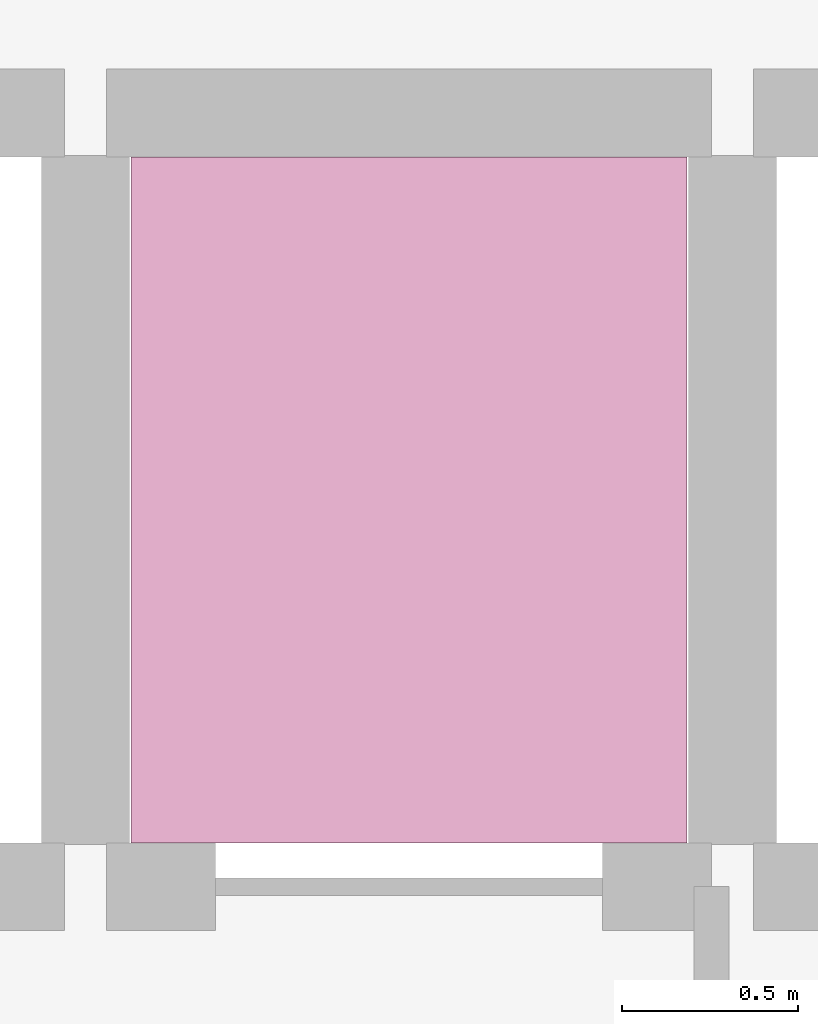
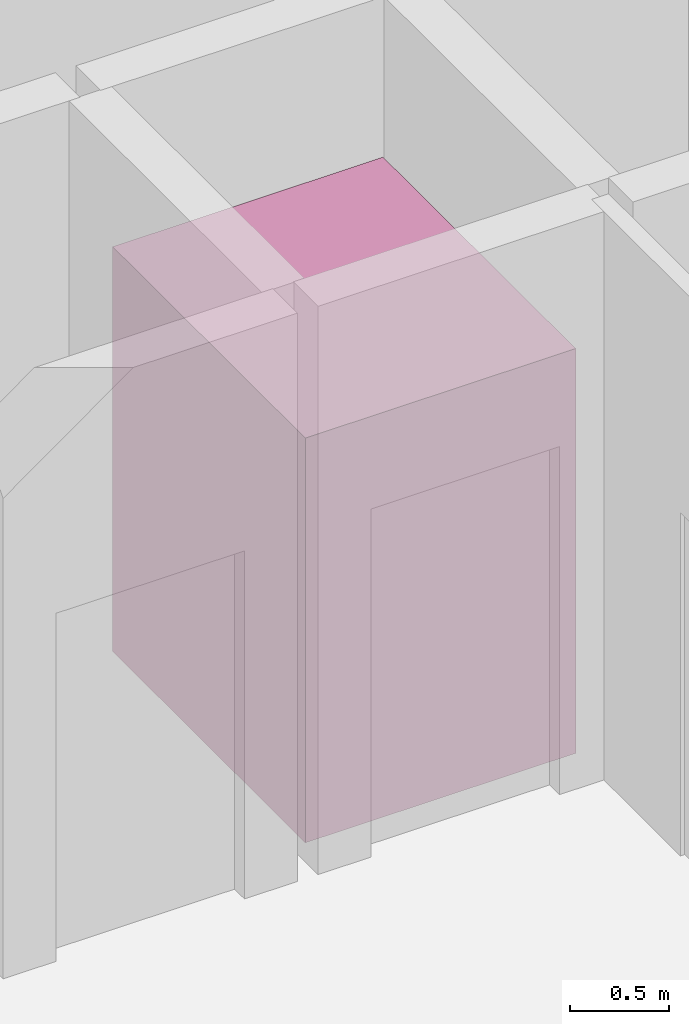
# One storey, part 10 of 10: 1 transport element.
"""IFC4 building model written with IfcOpenShell, lengths in metres."""

from ifc_helpers import new_model, si_unit, direction, frame, origin, origin_2d, place, context, subcontext, project, spatial, rectangle, extrude, material, type_object, element, save


model = new_model("IFC4")

# Units and contexts
model_context = context("Model", 3, precision=1e-05, world=origin(), true_north=direction((0.0, 1.0)))
body_context = subcontext(model_context, "Body", "Model", "MODEL_VIEW")
ifc_project = project(units=[si_unit("LENGTHUNIT", "METRE"), si_unit("AREAUNIT", "SQUARE_METRE"), si_unit("VOLUMEUNIT", "CUBIC_METRE"), si_unit("PLANEANGLEUNIT", "RADIAN"), si_unit("MASSUNIT", "GRAM", prefix="KILO")], contexts=[model_context])

# Site, building, storey
site_placement = place(None, origin())
site = spatial("IfcSite", under=ifc_project, at=site_placement, CompositionType="ELEMENT")
building_placement = place(site_placement, origin())
building = spatial("IfcBuilding", under=site, at=building_placement, Name="Zulverin Broadcast Headquarters", CompositionType="ELEMENT")
storey_placement = place(building_placement, frame((0.0, 0.0, 236.39990234375)))
storey = spatial("IfcBuildingStorey", under=building, at=storey_placement, Name="L60", CompositionType="ELEMENT", Elevation=236.39990234375)

# Transport element
ifc_material = material(Name="Stainless steel & laminated glass elevator car", Category="steel")
transport_element_type = type_object("IfcTransportElementType", Name="LFT-PASS-1600", PredefinedType="ELEVATOR", material=ifc_material)
transport_element_placement = place(storey_placement, frame((34.43994140625, 27.89990234375, 0.02001953125), z_axis=(0.0, 0.0, 1.0), x_axis=(1.0, 0.0, 0.0)))
element("IfcTransportElement", 1, at=transport_element_placement, inside=storey, type_object=transport_element_type, Name="Elevator Car PL-H3 (1600 kg, L00-L78)", PredefinedType="ELEVATOR", context=body_context, shape_type="SweptSolid", body=[
    extrude(rectangle(XDim=1.580078125, YDim=1.949951171875, at=origin_2d()), origin(), (0.0, 0.0, 1.0), 2.5),
])

save(model, "model.ifc")
